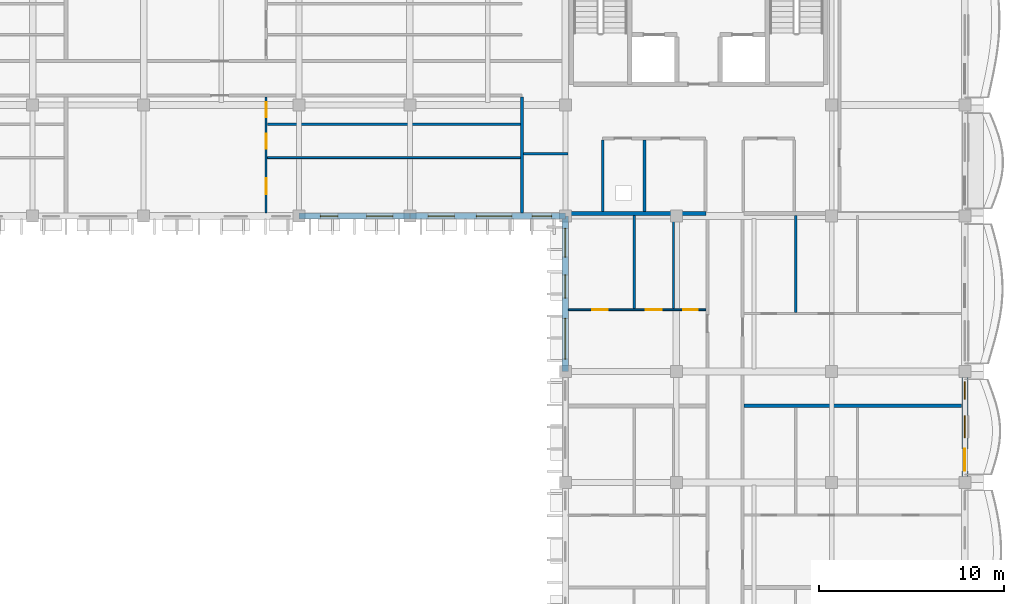
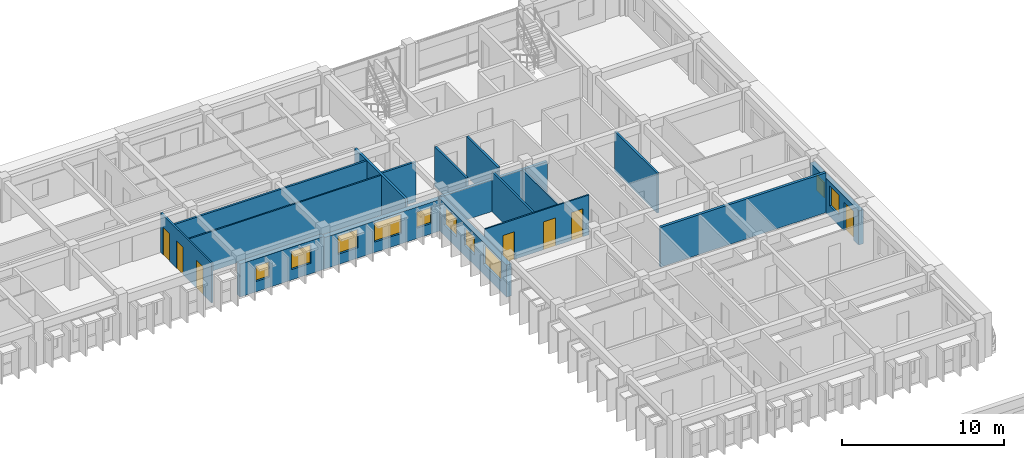
# One storey, part 37 of 70: 17 walls, 10 windows, 7 doors, 17 openings.
"""IFC4 building model written with IfcOpenShell, lengths in metres."""

from ifc_helpers import new_model, si_unit, direction, frame, frame_2d, origin, place, context, subcontext, project, spatial, rectangle, extrude, material, layer, layer_set, type_object, element, fill, save


model = new_model("IFC4")

# Units and contexts
model_context = context("Model", 3, precision=1e-05, world=origin(), true_north=direction((0.0, 1.0)))
body_context = subcontext(model_context, "Body", "Model", "MODEL_VIEW")
ifc_project = project(units=[si_unit("LENGTHUNIT", "METRE"), si_unit("AREAUNIT", "SQUARE_METRE"), si_unit("VOLUMEUNIT", "CUBIC_METRE"), si_unit("PLANEANGLEUNIT", "RADIAN"), si_unit("MASSUNIT", "GRAM", prefix="KILO"), si_unit("THERMODYNAMICTEMPERATUREUNIT", "KELVIN")], contexts=[model_context])

# Site, building, storey
site_placement = place(None, origin())
site = spatial("IfcSite", under=ifc_project, at=site_placement, CompositionType="ELEMENT")
building_placement = place(site_placement, origin())
building = spatial("IfcBuilding", under=site, at=building_placement, Name="Thalorik Housing Commons", CompositionType="ELEMENT")
storey_placement = place(building_placement, frame((0.0, 0.0, 14.699951171875)))
storey = spatial("IfcBuildingStorey", under=building, at=storey_placement, Name="L04", CompositionType="ELEMENT", Elevation=14.699951171875)

# Walls
ifc_material_1 = material(Name="Masonry fire-rated corridor wall", Category="masonry")
ifc_layer_1 = layer(ifc_material_1, 0.14990234375, Name="Masonry fire-rated corridor wall", Category="masonry")
ifc_layer_set_1 = layer_set([ifc_layer_1], Name="Masonry fire-rated corridor wall")
wall_type_1 = type_object("IfcWallType", Name="ARC-WAL-CORR-150", PredefinedType="PARTITIONING", material=ifc_layer_set_1)
wall_1_placement = place(storey_placement, frame((150.134521484375, 112.570068359375, 0.0), z_axis=(0.0, 0.0, 1.0), x_axis=(1.0, 0.0, 0.0)))
element("IfcWall", 1, at=wall_1_placement, inside=storey, type_object=wall_type_1, Name="L04 Block B Vestibule South Wall", PredefinedType="PARTITIONING", context=body_context, shape_type="SweptSolid", body=[
    extrude(rectangle(XDim=2.405517578125, YDim=0.14990234375, at=frame_2d((1.20263671875, 0.0))), origin(), (0.0, 0.0, 1.0), 3.0),
])
ifc_layer_2 = layer(ifc_material_1, 0.1650390625, Name="Masonry fire-rated corridor wall", Category="masonry")
ifc_layer_set_2 = layer_set([ifc_layer_2], Name="Masonry fire-rated corridor wall")
wall_type_2 = type_object("IfcWallType", Name="ARC-WAL-CORR-165", PredefinedType="PARTITIONING", material=ifc_layer_set_2)
wall_2_placement = place(storey_placement, frame((150.050048828125, 109.369384765625, 0.0), z_axis=(0.0, 0.0, 1.0), x_axis=(0.0, 1.0, 0.0)))
element("IfcWall", 2, at=wall_2_placement, inside=storey, type_object=wall_type_2, Name="L04 Block B Vestibule Cheek Wall", PredefinedType="PARTITIONING", context=body_context, shape_type="SweptSolid", body=[
    extrude(rectangle(XDim=6.26611328125, YDim=0.1650390625, at=frame_2d((3.133056640625, 0.0))), origin(), (0.0, 0.0, 1.0), 3.0),
])

# Wall, openings, windows
ifc_material_2 = material(Name="White precast concrete C40/50", Category="concrete")
ifc_layer_3 = layer(ifc_material_2, 0.3349609375, Name="White precast concrete C40/50", Category="concrete")
ifc_layer_set_3 = layer_set([ifc_layer_3], Name="White precast concrete C40/50")
wall_type_3 = type_object("IfcWallType", Name="ARC-WAL-EXT-335", PredefinedType="STANDARD", material=ifc_layer_set_3)
wall_3_placement = place(storey_placement, frame((138.0, 109.199951171875, 0.0), z_axis=(0.0, 0.0, 1.0), x_axis=(1.0, 0.0, 0.0)))
wall_3 = element("IfcWall", 3, at=wall_3_placement, inside=storey, type_object=wall_type_3, Name="L04 Exterior Wall WAL-EXT-L04-B-0546", PredefinedType="STANDARD", context=body_context, shape_type="SweptSolid", body=[
    extrude(rectangle(XDim=6.0, YDim=0.3349609375, at=frame_2d((3.0, 0.0))), origin(), (0.0, 0.0, 1.0), 2.47509765625),
])
opening_1_placement = place(wall_3_placement, frame((1.155029296875, 0.0, 0.780029296875)))
opening_1 = element("IfcOpeningElement", 4, at=opening_1_placement, cuts=wall_3, Name="Opening W-43", PredefinedType="OPENING", context=body_context, shape_type="SweptSolid", body=[
    extrude(rectangle(XDim=0.949951171875, YDim=1.14990234375, at=frame_2d((0.47509765625, 0.574951171875))), frame((0.0, 0.177490234375, 0.0), z_axis=(0.0, -1.0, 0.0), x_axis=(1.0, 0.0, 0.0)), (0.0, 0.0, 1.0), 0.35498046875),
])
opening_2_placement = place(wall_3_placement, frame((3.659912109375, 0.0, 0.780029296875)))
opening_2 = element("IfcOpeningElement", 5, at=opening_2_placement, cuts=wall_3, Name="Opening W-50", PredefinedType="OPENING", context=body_context, shape_type="SweptSolid", body=[
    extrude(rectangle(XDim=1.419921875, YDim=1.3798828125, at=frame_2d((0.7099609375, 0.68994140625))), frame((0.0, 0.177490234375, 0.0), z_axis=(0.0, -1.0, 0.0), x_axis=(1.0, 0.0, 0.0)), (0.0, 0.0, 1.0), 0.35498046875),
])
ifc_material_3 = material(Name="Anodised aluminium and solar-control low-E glass", Category="aluminium")
window_type_1 = type_object("IfcWindowType", Name="ARC-WIN-43", PartitioningType="SINGLE_PANEL", PredefinedType="WINDOW", material=ifc_material_3)
window_1_placement = place(opening_1_placement, origin())
window_1 = element("IfcWindow", 6, at=window_1_placement, inside=storey, type_object=window_type_1, Name="L04 Facade Window 986", OverallHeight=1.14990234375, OverallWidth=0.949951171875, PartitioningType="SINGLE_PANEL", PredefinedType="WINDOW", context=body_context, shape_type="SweptSolid", body=[
    extrude(rectangle(XDim=0.949951171875, YDim=1.14990234375, at=frame_2d((0.47509765625, 0.574951171875))), frame((0.0, 0.030029296875, 0.0), z_axis=(0.0, -1.0, 0.0), x_axis=(1.0, 0.0, 0.0)), (0.0, 0.0, 1.0), 0.06005859375),
])
fill(opening_1, window_1)
window_type_2 = type_object("IfcWindowType", Name="ARC-WIN-50", PartitioningType="SINGLE_PANEL", PredefinedType="WINDOW", material=ifc_material_3)
window_2_placement = place(opening_2_placement, origin())
window_2 = element("IfcWindow", 7, at=window_2_placement, inside=storey, type_object=window_type_2, Name="L04 Facade Window 987", OverallHeight=1.3798828125, OverallWidth=1.419921875, PartitioningType="SINGLE_PANEL", PredefinedType="WINDOW", context=body_context, shape_type="SweptSolid", body=[
    extrude(rectangle(XDim=1.419921875, YDim=1.3798828125, at=frame_2d((0.7099609375, 0.68994140625))), frame((0.0, 0.030029296875, 0.0), z_axis=(0.0, -1.0, 0.0), x_axis=(1.0, 0.0, 0.0)), (0.0, 0.0, 1.0), 0.06005859375),
])
fill(opening_2, window_2)

wall_4_placement = place(storey_placement, frame((144.0, 109.199951171875, 0.0), z_axis=(0.0, 0.0, 1.0), x_axis=(1.0, 0.0, 0.0)))
wall_4 = element("IfcWall", 8, at=wall_4_placement, inside=storey, type_object=wall_type_3, Name="L04 Exterior Wall WAL-EXT-L04-B-0547", PredefinedType="STANDARD", context=body_context, shape_type="SweptSolid", body=[
    extrude(rectangle(XDim=8.39990234375, YDim=0.3349609375, at=frame_2d((4.199951171875, 0.0))), origin(), (0.0, 0.0, 1.0), 2.375),
])
opening_3_placement = place(wall_4_placement, frame((0.97998046875, 0.0, 0.780029296875)))
opening_3 = element("IfcOpeningElement", 9, at=opening_3_placement, cuts=wall_4, Name="Opening W-50", PredefinedType="OPENING", context=body_context, shape_type="SweptSolid", body=[
    extrude(rectangle(XDim=1.419921875, YDim=1.3798828125, at=frame_2d((0.7099609375, 0.68994140625))), frame((0.0, 0.177490234375, 0.0), z_axis=(0.0, -1.0, 0.0), x_axis=(1.0, 0.0, 0.0)), (0.0, 0.0, 1.0), 0.35498046875),
])
opening_4_placement = place(wall_4_placement, frame((3.590087890625, 0.0, 0.780029296875)))
opening_4 = element("IfcOpeningElement", 10, at=opening_4_placement, cuts=wall_4, Name="Opening W-60", PredefinedType="OPENING", context=body_context, shape_type="SweptSolid", body=[
    extrude(rectangle(XDim=1.919921875, YDim=1.43994140625, at=frame_2d((0.9599609375, 0.719970703125))), frame((0.0, 0.177490234375, 0.0), z_axis=(0.0, -1.0, 0.0), x_axis=(1.0, 0.0, 0.0)), (0.0, 0.0, 1.0), 0.35498046875),
])
opening_5_placement = place(wall_4_placement, frame((6.60498046875, 0.0, 0.780029296875)))
opening_5 = element("IfcOpeningElement", 11, at=opening_5_placement, cuts=wall_4, Name="Opening W-44", PredefinedType="OPENING", context=body_context, shape_type="SweptSolid", body=[
    extrude(rectangle(XDim=1.050048828125, YDim=1.199951171875, at=frame_2d((0.52490234375, 0.60009765625))), frame((0.0, 0.177490234375, 0.0), z_axis=(0.0, -1.0, 0.0), x_axis=(1.0, 0.0, 0.0)), (0.0, 0.0, 1.0), 0.35498046875),
])
window_type_3 = type_object("IfcWindowType", Name="ARC-WIN-44", PartitioningType="SINGLE_PANEL", PredefinedType="WINDOW", material=ifc_material_3)
window_3_placement = place(opening_5_placement, origin())
window_3 = element("IfcWindow", 12, at=window_3_placement, inside=storey, type_object=window_type_3, Name="L04 Facade Window 990", OverallHeight=1.199951171875, OverallWidth=1.050048828125, PartitioningType="SINGLE_PANEL", PredefinedType="WINDOW", context=body_context, shape_type="SweptSolid", body=[
    extrude(rectangle(XDim=1.050048828125, YDim=1.199951171875, at=frame_2d((0.52490234375, 0.60009765625))), frame((0.0, 0.030029296875, 0.0), z_axis=(0.0, -1.0, 0.0), x_axis=(1.0, 0.0, 0.0)), (0.0, 0.0, 1.0), 0.06005859375),
])
fill(opening_5, window_3)
window_4_placement = place(opening_3_placement, origin())
window_4 = element("IfcWindow", 13, at=window_4_placement, inside=storey, type_object=window_type_2, Name="L04 Facade Window 988", OverallHeight=1.3798828125, OverallWidth=1.419921875, PartitioningType="SINGLE_PANEL", PredefinedType="WINDOW", context=body_context, shape_type="SweptSolid", body=[
    extrude(rectangle(XDim=1.419921875, YDim=1.3798828125, at=frame_2d((0.7099609375, 0.68994140625))), frame((0.0, 0.030029296875, 0.0), z_axis=(0.0, -1.0, 0.0), x_axis=(1.0, 0.0, 0.0)), (0.0, 0.0, 1.0), 0.06005859375),
])
fill(opening_3, window_4)
window_type_4 = type_object("IfcWindowType", Name="ARC-WIN-60", PartitioningType="DOUBLE_PANEL_VERTICAL", PredefinedType="WINDOW", material=ifc_material_3)
window_5_placement = place(opening_4_placement, origin())
window_5 = element("IfcWindow", 14, at=window_5_placement, inside=storey, type_object=window_type_4, Name="L04 Facade Window 989", OverallHeight=1.43994140625, OverallWidth=1.919921875, PartitioningType="DOUBLE_PANEL_VERTICAL", PredefinedType="WINDOW", context=body_context, shape_type="SweptSolid", body=[
    extrude(rectangle(XDim=1.919921875, YDim=1.43994140625, at=frame_2d((0.9599609375, 0.719970703125))), frame((0.0, 0.030029296875, 0.0), z_axis=(0.0, -1.0, 0.0), x_axis=(1.0, 0.0, 0.0)), (0.0, 0.0, 1.0), 0.06005859375),
])
fill(opening_4, window_5)

wall_5_placement = place(storey_placement, frame((152.39990234375, 109.199951171875, 0.0), z_axis=(0.0, 0.0, 1.0), x_axis=(0.0, -1.0, 0.0)))
wall_5 = element("IfcWall", 15, at=wall_5_placement, inside=storey, type_object=wall_type_3, Name="L04 Exterior Wall WAL-EXT-L04-B-0548", PredefinedType="STANDARD", context=body_context, shape_type="SweptSolid", body=[
    extrude(rectangle(XDim=8.39990234375, YDim=0.3349609375, at=frame_2d((4.199951171875, 0.0))), origin(), (0.0, 0.0, 1.0), 2.425048828125),
])
opening_6_placement = place(wall_5_placement, frame((0.66748046875, 0.0, 0.780029296875)))
opening_6 = element("IfcOpeningElement", 16, at=opening_6_placement, cuts=wall_5, Name="Opening W-12", PredefinedType="OPENING", context=body_context, shape_type="SweptSolid", body=[
    extrude(rectangle(XDim=1.550048828125, YDim=1.39990234375, at=frame_2d((0.77490234375, 0.699951171875))), frame((0.0, 0.177490234375, 0.0), z_axis=(0.0, -1.0, 0.0), x_axis=(1.0, 0.0, 0.0)), (0.0, 0.0, 1.0), 0.35498046875),
])
opening_7_placement = place(wall_5_placement, frame((3.1826171875, 0.0, 0.780029296875)))
opening_7 = element("IfcOpeningElement", 17, at=opening_7_placement, cuts=wall_5, Name="Opening W-46", PredefinedType="OPENING", context=body_context, shape_type="SweptSolid", body=[
    extrude(rectangle(XDim=1.25, YDim=1.300048828125, at=frame_2d((0.625, 0.64990234375))), frame((0.0, 0.177490234375, 0.0), z_axis=(0.0, -1.0, 0.0), x_axis=(1.0, 0.0, 0.0)), (0.0, 0.0, 1.0), 0.35498046875),
])
opening_8_placement = place(wall_5_placement, frame((5.534912109375, 0.0, 0.780029296875)))
opening_8 = element("IfcOpeningElement", 18, at=opening_8_placement, cuts=wall_5, Name="Opening W-29", PredefinedType="OPENING", context=body_context, shape_type="SweptSolid", body=[
    extrude(rectangle(XDim=2.199951171875, YDim=1.5, at=frame_2d((1.10009765625, 0.75))), frame((0.0, 0.177490234375, 0.0), z_axis=(0.0, -1.0, 0.0), x_axis=(1.0, 0.0, 0.0)), (0.0, 0.0, 1.0), 0.35498046875),
])
window_type_5 = type_object("IfcWindowType", Name="ARC-WIN-12", PartitioningType="SINGLE_PANEL", PredefinedType="WINDOW", material=ifc_material_3)
window_6_placement = place(opening_6_placement, origin())
window_6 = element("IfcWindow", 19, at=window_6_placement, inside=storey, type_object=window_type_5, Name="L04 Facade Window 991", OverallHeight=1.39990234375, OverallWidth=1.550048828125, PartitioningType="SINGLE_PANEL", PredefinedType="WINDOW", context=body_context, shape_type="SweptSolid", body=[
    extrude(rectangle(XDim=1.550048828125, YDim=1.39990234375, at=frame_2d((0.77490234375, 0.699951171875))), frame((0.0, 0.030029296875, 0.0), z_axis=(0.0, -1.0, 0.0), x_axis=(1.0, 0.0, 0.0)), (0.0, 0.0, 1.0), 0.06005859375),
])
fill(opening_6, window_6)
window_type_6 = type_object("IfcWindowType", Name="ARC-WIN-29", PartitioningType="DOUBLE_PANEL_VERTICAL", PredefinedType="WINDOW", material=ifc_material_3)
window_7_placement = place(opening_8_placement, origin())
window_7 = element("IfcWindow", 20, at=window_7_placement, inside=storey, type_object=window_type_6, Name="L04 Facade Window 993", OverallHeight=1.5, OverallWidth=2.199951171875, PartitioningType="DOUBLE_PANEL_VERTICAL", PredefinedType="WINDOW", context=body_context, shape_type="SweptSolid", body=[
    extrude(rectangle(XDim=2.199951171875, YDim=1.5, at=frame_2d((1.10009765625, 0.75))), frame((0.0, 0.030029296875, 0.0), z_axis=(0.0, -1.0, 0.0), x_axis=(1.0, 0.0, 0.0)), (0.0, 0.0, 1.0), 0.06005859375),
])
fill(opening_8, window_7)
window_type_7 = type_object("IfcWindowType", Name="ARC-WIN-46", PartitioningType="SINGLE_PANEL", PredefinedType="WINDOW", material=ifc_material_3)
window_8_placement = place(opening_7_placement, origin())
window_8 = element("IfcWindow", 21, at=window_8_placement, inside=storey, type_object=window_type_7, Name="L04 Facade Window 992", OverallHeight=1.300048828125, OverallWidth=1.25, PartitioningType="SINGLE_PANEL", PredefinedType="WINDOW", context=body_context, shape_type="SweptSolid", body=[
    extrude(rectangle(XDim=1.25, YDim=1.300048828125, at=frame_2d((0.625, 0.64990234375))), frame((0.0, 0.030029296875, 0.0), z_axis=(0.0, -1.0, 0.0), x_axis=(1.0, 0.0, 0.0)), (0.0, 0.0, 1.0), 0.06005859375),
])
fill(opening_7, window_8)

# Wall, openings, door, windows
wall_6_placement = place(storey_placement, frame((174.0, 94.800048828125, 0.0), z_axis=(0.0, 0.0, 1.0), x_axis=(0.0, 1.0, 0.0)))
wall_6 = element("IfcWall", 22, at=wall_6_placement, inside=storey, type_object=wall_type_3, Name="L04 Exterior Wall WAL-EXT-L04-B-0557", PredefinedType="STANDARD", context=body_context, shape_type="SweptSolid", body=[
    extrude(rectangle(XDim=6.0, YDim=0.3349609375, at=frame_2d((3.0, 0.0))), origin(), (0.0, 0.0, 1.0), 2.574951171875),
])
opening_9_placement = place(wall_6_placement, frame((0.6201171875, 0.0, 0.0)))
opening_9 = element("IfcOpeningElement", 23, at=opening_9_placement, cuts=wall_6, Name="Opening ED-0172", PredefinedType="OPENING", context=body_context, shape_type="SweptSolid", body=[
    extrude(rectangle(XDim=1.199951171875, YDim=2.14990234375, at=frame_2d((0.60009765625, 1.074951171875))), frame((0.0, 0.177490234375, 0.0), z_axis=(0.0, -1.0, 0.0), x_axis=(1.0, 0.0, 0.0)), (0.0, 0.0, 1.0), 0.35498046875),
])
opening_10_placement = place(wall_6_placement, frame((2.405029296875, 0.0, 0.780029296875)))
opening_10 = element("IfcOpeningElement", 24, at=opening_10_placement, cuts=wall_6, Name="Opening W-05", PredefinedType="OPENING", context=body_context, shape_type="SweptSolid", body=[
    extrude(rectangle(XDim=1.199951171875, YDim=1.5, at=frame_2d((0.60009765625, 0.75))), frame((0.0, 0.177490234375, 0.0), z_axis=(0.0, -1.0, 0.0), x_axis=(1.0, 0.0, 0.0)), (0.0, 0.0, 1.0), 0.35498046875),
])
opening_11_placement = place(wall_6_placement, frame((4.5, 0.0, 0.780029296875)))
opening_11 = element("IfcOpeningElement", 25, at=opening_11_placement, cuts=wall_6, Name="Opening W-43", PredefinedType="OPENING", context=body_context, shape_type="SweptSolid", body=[
    extrude(rectangle(XDim=0.949951171875, YDim=1.14990234375, at=frame_2d((0.47509765625, 0.574951171875))), frame((0.0, 0.177490234375, 0.0), z_axis=(0.0, -1.0, 0.0), x_axis=(1.0, 0.0, 0.0)), (0.0, 0.0, 1.0), 0.35498046875),
])
ifc_material_4 = material(Name="Anodised aluminium and laminated safety glass", Category="aluminium")
door_type_1 = type_object("IfcDoorType", Name="ARC-DR-BAL-1200", OperationType="NOTDEFINED", PredefinedType="DOOR", material=ifc_material_4)
door_1_placement = place(opening_9_placement, frame((1.199951171875, 0.0, 0.0), z_axis=(0.0, 0.0, 1.0), x_axis=(-1.0, 0.0, 0.0)))
door_1 = element("IfcDoor", 26, at=door_1_placement, inside=storey, type_object=door_type_1, Name="L04 Block B Balcony Glazed Door", OperationType="SINGLE_SWING_LEFT", OverallHeight=2.14990234375, OverallWidth=1.199951171875, PredefinedType="DOOR", context=body_context, shape_type="SweptSolid", body=[
    extrude(rectangle(XDim=1.199951171875, YDim=2.14990234375, at=frame_2d((0.60009765625, 1.074951171875))), frame((0.0, 0.02490234375, 0.0), z_axis=(0.0, -1.0, 0.0), x_axis=(1.0, 0.0, 0.0)), (0.0, 0.0, 1.0), 0.050048828125),
])
fill(opening_9, door_1)
window_type_8 = type_object("IfcWindowType", Name="ARC-WIN-05", PartitioningType="SINGLE_PANEL", PredefinedType="WINDOW", material=ifc_material_3)
window_9_placement = place(opening_10_placement, origin())
window_9 = element("IfcWindow", 27, at=window_9_placement, inside=storey, type_object=window_type_8, Name="L04 Facade Window 1013", OverallHeight=1.5, OverallWidth=1.199951171875, PartitioningType="SINGLE_PANEL", PredefinedType="WINDOW", context=body_context, shape_type="SweptSolid", body=[
    extrude(rectangle(XDim=1.199951171875, YDim=1.5, at=frame_2d((0.60009765625, 0.75))), frame((0.0, 0.030029296875, 0.0), z_axis=(0.0, -1.0, 0.0), x_axis=(1.0, 0.0, 0.0)), (0.0, 0.0, 1.0), 0.06005859375),
])
fill(opening_10, window_9)
window_10_placement = place(opening_11_placement, origin())
window_10 = element("IfcWindow", 28, at=window_10_placement, inside=storey, type_object=window_type_1, Name="L04 Facade Window 1014", OverallHeight=1.14990234375, OverallWidth=0.949951171875, PartitioningType="SINGLE_PANEL", PredefinedType="WINDOW", context=body_context, shape_type="SweptSolid", body=[
    extrude(rectangle(XDim=0.949951171875, YDim=1.14990234375, at=frame_2d((0.47509765625, 0.574951171875))), frame((0.0, 0.030029296875, 0.0), z_axis=(0.0, -1.0, 0.0), x_axis=(1.0, 0.0, 0.0)), (0.0, 0.0, 1.0), 0.06005859375),
])
fill(opening_11, window_10)

# Wall
ifc_material_5 = material(Name="Gypsum light stud partition", Category="masonry")
ifc_layer_4 = layer(ifc_material_5, 0.10009765625, Name="Gypsum light stud partition", Category="masonry")
ifc_layer_set_4 = layer_set([ifc_layer_4], Name="Gypsum light stud partition")
wall_type_4 = type_object("IfcWallType", Name="ARC-WAL-PART-100", PredefinedType="PARTITIONING", material=ifc_layer_set_4)
wall_7_placement = place(storey_placement, frame((136.284423828125, 112.36083984375, 0.0), z_axis=(0.0, 0.0, 1.0), x_axis=(1.0, 0.0, 0.0)))
element("IfcWall", 29, at=wall_7_placement, inside=storey, type_object=wall_type_4, Name="L04 Unit 3 Bedroom Partition", PredefinedType="PARTITIONING", context=body_context, shape_type="SweptSolid", body=[
    extrude(rectangle(XDim=13.68115234375, YDim=0.10009765625, at=frame_2d((6.840576171875, 0.0))), origin(), (0.0, 0.0, 1.0), 3.0),
])

# Wall, openings, doors
wall_8_placement = place(storey_placement, frame((152.569580078125, 104.139892578125, 0.0), z_axis=(0.0, 0.0, 1.0), x_axis=(1.0, 0.0, 0.0)))
wall_8 = element("IfcWall", 30, at=wall_8_placement, inside=storey, type_object=wall_type_4, Name="L04 Unit 3 Spine Partition", PredefinedType="PARTITIONING", context=body_context, shape_type="SweptSolid", body=[
    extrude(rectangle(XDim=7.433349609375, YDim=0.10009765625, at=frame_2d((3.716796875, 0.0))), origin(), (0.0, 0.0, 1.0), 3.0),
])
opening_12_placement = place(wall_8_placement, frame((1.294189453125, 0.0, 0.0)))
opening_12 = element("IfcOpeningElement", 31, at=opening_12_placement, cuts=wall_8, Name="Opening ID-1160", PredefinedType="OPENING", context=body_context, shape_type="SweptSolid", body=[
    extrude(rectangle(XDim=0.820068359375, YDim=2.080078125, at=frame_2d((0.41015625, 1.0400390625))), frame((0.0, 0.06005859375, 0.0), z_axis=(0.0, -1.0, 0.0), x_axis=(1.0, 0.0, 0.0)), (0.0, 0.0, 1.0), 0.1201171875),
])
opening_13_placement = place(wall_8_placement, frame((4.18994140625, 0.0, 0.0)))
opening_13 = element("IfcOpeningElement", 32, at=opening_13_placement, cuts=wall_8, Name="Opening ID-1161", PredefinedType="OPENING", context=body_context, shape_type="SweptSolid", body=[
    extrude(rectangle(XDim=0.85009765625, YDim=2.10009765625, at=frame_2d((0.425048828125, 1.050048828125))), frame((0.0, 0.06005859375, 0.0), z_axis=(0.0, -1.0, 0.0), x_axis=(1.0, 0.0, 0.0)), (0.0, 0.0, 1.0), 0.1201171875),
])
opening_14_placement = place(wall_8_placement, frame((6.196044921875, 0.0, 0.0)))
opening_14 = element("IfcOpeningElement", 33, at=opening_14_placement, cuts=wall_8, Name="Opening ID-1162", PredefinedType="OPENING", context=body_context, shape_type="SweptSolid", body=[
    extrude(rectangle(XDim=0.800048828125, YDim=2.10009765625, at=frame_2d((0.39990234375, 1.050048828125))), frame((0.0, 0.06005859375, 0.0), z_axis=(0.0, -1.0, 0.0), x_axis=(1.0, 0.0, 0.0)), (0.0, 0.0, 1.0), 0.1201171875),
])
ifc_material_6 = material(Name="Moisture-resistant timber", Category="wood")
door_type_2 = type_object("IfcDoorType", Name="ARC-DR-INT-800", OperationType="NOTDEFINED", PredefinedType="DOOR", material=ifc_material_6)
door_2_placement = place(opening_14_placement, origin())
door_2 = element("IfcDoor", 34, at=door_2_placement, inside=storey, type_object=door_type_2, Name="L04 Flat Bathroom Door", OperationType="SINGLE_SWING_LEFT", OverallHeight=2.10009765625, OverallWidth=0.800048828125, PredefinedType="DOOR", context=body_context, shape_type="SweptSolid", body=[
    extrude(rectangle(XDim=0.800048828125, YDim=2.10009765625, at=frame_2d((0.39990234375, 1.050048828125))), frame((0.0, 0.02490234375, 0.0), z_axis=(0.0, -1.0, 0.0), x_axis=(1.0, 0.0, 0.0)), (0.0, 0.0, 1.0), 0.050048828125),
])
fill(opening_14, door_2)
ifc_material_7 = material(Name="Engineered oak timber", Category="wood")
door_type_3 = type_object("IfcDoorType", Name="ARC-DR-INT-820", OperationType="NOTDEFINED", PredefinedType="DOOR", material=ifc_material_7)
door_3_placement = place(opening_12_placement, origin())
door_3 = element("IfcDoor", 35, at=door_3_placement, inside=storey, type_object=door_type_3, Name="L04 Master Bedroom Door", OperationType="SINGLE_SWING_LEFT", OverallHeight=2.080078125, OverallWidth=0.820068359375, PredefinedType="DOOR", context=body_context, shape_type="SweptSolid", body=[
    extrude(rectangle(XDim=0.820068359375, YDim=2.080078125, at=frame_2d((0.41015625, 1.0400390625))), frame((0.0, 0.02490234375, 0.0), z_axis=(0.0, -1.0, 0.0), x_axis=(1.0, 0.0, 0.0)), (0.0, 0.0, 1.0), 0.050048828125),
])
fill(opening_12, door_3)
door_type_4 = type_object("IfcDoorType", Name="ARC-DR-INT-850", OperationType="NOTDEFINED", PredefinedType="DOOR", material=ifc_material_7)
door_4_placement = place(opening_13_placement, origin())
door_4 = element("IfcDoor", 36, at=door_4_placement, inside=storey, type_object=door_type_4, Name="L04 Galley Kitchen Door", OperationType="SINGLE_SWING_RIGHT", OverallHeight=2.10009765625, OverallWidth=0.85009765625, PredefinedType="DOOR", context=body_context, shape_type="SweptSolid", body=[
    extrude(rectangle(XDim=0.85009765625, YDim=2.10009765625, at=frame_2d((0.425048828125, 1.050048828125))), frame((0.0, 0.02490234375, 0.0), z_axis=(0.0, -1.0, 0.0), x_axis=(1.0, 0.0, 0.0)), (0.0, 0.0, 1.0), 0.050048828125),
])
fill(opening_13, door_4)

ifc_material_8 = material(Name="Gypsum moisture-resistant partition", Category="masonry")
ifc_layer_5 = layer(ifc_material_8, 0.114990234375, Name="Gypsum moisture-resistant partition", Category="masonry")
ifc_layer_set_5 = layer_set([ifc_layer_5], Name="Gypsum moisture-resistant partition")
wall_type_5 = type_object("IfcWallType", Name="ARC-WAL-PART-115", PredefinedType="PARTITIONING", material=ifc_layer_set_5)
wall_9_placement = place(storey_placement, frame((136.22509765625, 109.369384765625, 0.0), z_axis=(0.0, 0.0, 1.0), x_axis=(0.0, 1.0, 0.0)))
wall_9 = element("IfcWall", 37, at=wall_9_placement, inside=storey, type_object=wall_type_5, Name="L04 Unit 3 Spine Partition", PredefinedType="PARTITIONING", context=body_context, shape_type="SweptSolid", body=[
    extrude(rectangle(XDim=6.26611328125, YDim=0.114990234375, at=frame_2d((3.133056640625, 0.0))), origin(), (0.0, 0.0, 1.0), 3.0),
])
opening_15_placement = place(wall_9_placement, frame((1.015869140625, 0.0, 0.0)))
opening_15 = element("IfcOpeningElement", 38, at=opening_15_placement, cuts=wall_9, Name="Opening ID-1135", PredefinedType="OPENING", context=body_context, shape_type="SweptSolid", body=[
    extrude(rectangle(XDim=0.85009765625, YDim=2.10009765625, at=frame_2d((0.425048828125, 1.050048828125))), frame((0.0, 0.0673828125, 0.0), z_axis=(0.0, -1.0, 0.0), x_axis=(1.0, 0.0, 0.0)), (0.0, 0.0, 1.0), 0.135009765625),
])
opening_16_placement = place(wall_9_placement, frame((3.470703125, 0.0, 0.0)))
opening_16 = element("IfcOpeningElement", 39, at=opening_16_placement, cuts=wall_9, Name="Opening ID-1136", PredefinedType="OPENING", context=body_context, shape_type="SweptSolid", body=[
    extrude(rectangle(XDim=0.820068359375, YDim=2.080078125, at=frame_2d((0.41015625, 1.0400390625))), frame((0.0, 0.0673828125, 0.0), z_axis=(0.0, -1.0, 0.0), x_axis=(1.0, 0.0, 0.0)), (0.0, 0.0, 1.0), 0.135009765625),
])
opening_17_placement = place(wall_9_placement, frame((5.17529296875, 0.0, 0.0)))
opening_17 = element("IfcOpeningElement", 40, at=opening_17_placement, cuts=wall_9, Name="Opening ID-1137", PredefinedType="OPENING", context=body_context, shape_type="SweptSolid", body=[
    extrude(rectangle(XDim=0.800048828125, YDim=2.10009765625, at=frame_2d((0.39990234375, 1.050048828125))), frame((0.0, 0.0673828125, 0.0), z_axis=(0.0, -1.0, 0.0), x_axis=(1.0, 0.0, 0.0)), (0.0, 0.0, 1.0), 0.135009765625),
])
door_5_placement = place(opening_17_placement, origin())
door_5 = element("IfcDoor", 41, at=door_5_placement, inside=storey, type_object=door_type_2, Name="L04 Flat Bathroom Door", OperationType="SINGLE_SWING_RIGHT", OverallHeight=2.10009765625, OverallWidth=0.800048828125, PredefinedType="DOOR", context=body_context, shape_type="SweptSolid", body=[
    extrude(rectangle(XDim=0.800048828125, YDim=2.10009765625, at=frame_2d((0.39990234375, 1.050048828125))), frame((0.0, 0.02490234375, 0.0), z_axis=(0.0, -1.0, 0.0), x_axis=(1.0, 0.0, 0.0)), (0.0, 0.0, 1.0), 0.050048828125),
])
fill(opening_17, door_5)
door_6_placement = place(opening_16_placement, origin())
door_6 = element("IfcDoor", 42, at=door_6_placement, inside=storey, type_object=door_type_3, Name="L04 Galley Kitchen Door", OperationType="SINGLE_SWING_LEFT", OverallHeight=2.080078125, OverallWidth=0.820068359375, PredefinedType="DOOR", context=body_context, shape_type="SweptSolid", body=[
    extrude(rectangle(XDim=0.820068359375, YDim=2.080078125, at=frame_2d((0.41015625, 1.0400390625))), frame((0.0, 0.02490234375, 0.0), z_axis=(0.0, -1.0, 0.0), x_axis=(1.0, 0.0, 0.0)), (0.0, 0.0, 1.0), 0.050048828125),
])
fill(opening_16, door_6)
door_7_placement = place(opening_15_placement, origin())
door_7 = element("IfcDoor", 43, at=door_7_placement, inside=storey, type_object=door_type_4, Name="L04 Master Bedroom Door", OperationType="SINGLE_SWING_RIGHT", OverallHeight=2.10009765625, OverallWidth=0.85009765625, PredefinedType="DOOR", context=body_context, shape_type="SweptSolid", body=[
    extrude(rectangle(XDim=0.85009765625, YDim=2.10009765625, at=frame_2d((0.425048828125, 1.050048828125))), frame((0.0, 0.02490234375, 0.0), z_axis=(0.0, -1.0, 0.0), x_axis=(1.0, 0.0, 0.0)), (0.0, 0.0, 1.0), 0.050048828125),
])
fill(opening_15, door_7)

# Walls
ifc_material_9 = material(Name="Gypsum acoustic stud partition", Category="masonry")
ifc_layer_6 = layer(ifc_material_9, 0.125, Name="Gypsum acoustic stud partition", Category="masonry")
ifc_layer_set_6 = layer_set([ifc_layer_6], Name="Gypsum acoustic stud partition")
wall_type_6 = type_object("IfcWallType", Name="ARC-WAL-PART-125", PredefinedType="PARTITIONING", material=ifc_layer_set_6)
wall_10_placement = place(storey_placement, frame((158.251220703125, 104.19189453125, 0.0), z_axis=(0.0, 0.0, 1.0), x_axis=(0.0, 1.0, 0.0)))
element("IfcWall", 44, at=wall_10_placement, inside=storey, type_object=wall_type_6, Name="L04 Unit 3 Wet Wall", PredefinedType="PARTITIONING", context=body_context, shape_type="SweptSolid", body=[
    extrude(rectangle(XDim=5.046142578125, YDim=0.125, at=frame_2d((2.52294921875, 0.0))), origin(), (0.0, 0.0, 1.0), 2.425048828125),
])
ifc_material_10 = material(Name="Ceramic masonry partition wall", Category="masonry")
ifc_layer_7 = layer(ifc_material_10, 0.139892578125, Name="Ceramic masonry partition wall", Category="masonry")
ifc_layer_set_7 = layer_set([ifc_layer_7], Name="Ceramic masonry partition wall")
wall_type_7 = type_object("IfcWallType", Name="ARC-WAL-PART-140", PredefinedType="PARTITIONING", material=ifc_layer_set_7)
wall_11_placement = place(storey_placement, frame((136.284423828125, 114.169677734375, 0.0), z_axis=(0.0, 0.0, 1.0), x_axis=(1.0, 0.0, 0.0)))
element("IfcWall", 45, at=wall_11_placement, inside=storey, type_object=wall_type_7, Name="L04 Unit 3 Wet Wall", PredefinedType="PARTITIONING", context=body_context, shape_type="SweptSolid", body=[
    extrude(rectangle(XDim=13.68115234375, YDim=0.139892578125, at=frame_2d((6.840576171875, 0.0))), origin(), (0.0, 0.0, 1.0), 3.0),
])
wall_12_placement = place(storey_placement, frame((156.11767578125, 104.19189453125, 0.0), z_axis=(0.0, 0.0, 1.0), x_axis=(0.0, 1.0, 0.0)))
element("IfcWall", 46, at=wall_12_placement, inside=storey, type_object=wall_type_7, Name="L04 Unit 3 Bedroom Partition", PredefinedType="PARTITIONING", context=body_context, shape_type="SweptSolid", body=[
    extrude(rectangle(XDim=5.046142578125, YDim=0.139892578125, at=frame_2d((2.52294921875, 0.0))), origin(), (0.0, 0.0, 1.0), 3.0),
])
wall_13_placement = place(storey_placement, frame((164.850341796875, 103.991455078125, 0.0), z_axis=(0.0, 0.0, 1.0), x_axis=(0.0, 1.0, 0.0)))
element("IfcWall", 47, at=wall_13_placement, inside=storey, type_object=wall_type_7, Name="L04 Unit 3B Wet Wall", PredefinedType="PARTITIONING", context=body_context, shape_type="SweptSolid", body=[
    extrude(rectangle(XDim=5.236572265625, YDim=0.139892578125, at=frame_2d((2.6181640625, 0.0))), origin(), (0.0, 0.0, 1.0), 3.0),
])
ifc_layer_8 = layer(ifc_material_10, 0.14794921875, Name="Ceramic masonry partition wall", Category="masonry")
ifc_layer_set_8 = layer_set([ifc_layer_8], Name="Ceramic masonry partition wall")
wall_type_8 = type_object("IfcWallType", Name="ARC-WAL-PART-150", PredefinedType="PARTITIONING", material=ifc_layer_set_8)
for number, where, z_axis, x_axis, name in (
    (48, (154.419921875, 113.323974609375, 0.0), (0.0, 0.0, 1.0), (0.0, -1.0, 0.0), "Core West Enclosing Wall"),
    (49, (156.675048828125, 113.323974609375, 0.0), (0.0, 0.0, 1.0), (0.0, -1.0, 0.0), "Riser Wall"),
):
    element("IfcWall", number, at=place(storey_placement, frame(where, z_axis=z_axis, x_axis=x_axis)), inside=storey, type_object=wall_type_8, Name=name, PredefinedType="PARTITIONING", context=body_context, shape_type="SweptSolid", body=[
        extrude(rectangle(XDim=3.882080078125, YDim=0.14794921875, at=frame_2d((1.94091796875, 0.0))), origin(), (0.0, 0.0, 1.0), 3.0),
    ])
ifc_material_11 = material(Name="Masonry acoustic blockwork wall", Category="masonry")
ifc_layer_9 = layer(ifc_material_11, 0.18505859375, Name="Masonry acoustic blockwork wall", Category="masonry")
ifc_layer_set_9 = layer_set([ifc_layer_9], Name="Masonry acoustic blockwork wall")
wall_type_9 = type_object("IfcWallType", Name="ARC-WAL-PARTY-185", PredefinedType="PARTITIONING", material=ifc_layer_set_9)
wall_14_placement = place(storey_placement, frame((162.064453125, 98.93994140625, 0.0), z_axis=(0.0, 0.0, 1.0), x_axis=(1.0, 0.0, 0.0)))
element("IfcWall", 50, at=wall_14_placement, inside=storey, type_object=wall_type_9, Name="L04 Inter-Tenancy Wall 2B", PredefinedType="PARTITIONING", context=body_context, shape_type="SweptSolid", body=[
    extrude(rectangle(XDim=11.76611328125, YDim=0.18505859375, at=frame_2d((5.883056640625, 0.0))), origin(), (0.0, 0.0, 1.0), 3.0),
])
ifc_material_12 = material(Name="Precast concrete C40/50 acoustic wall", Category="concrete")
ifc_layer_10 = layer(ifc_material_12, 0.199951171875, Name="Precast concrete C40/50 acoustic wall", Category="concrete")
ifc_layer_set_10 = layer_set([ifc_layer_10], Name="Precast concrete C40/50 acoustic wall")
wall_type_10 = type_object("IfcWallType", Name="ARC-WAL-PARTY-200", PredefinedType="PARTITIONING", material=ifc_layer_set_10)
wall_15_placement = place(storey_placement, frame((152.4599609375, 109.340087890625, 0.0), z_axis=(0.0, 0.0, 1.0), x_axis=(1.0, 0.0, 0.0)))
element("IfcWall", 51, at=wall_15_placement, inside=storey, type_object=wall_type_10, Name="L04 Core End Wall A", PredefinedType="PARTITIONING", context=body_context, shape_type="SweptSolid", body=[
    extrude(rectangle(XDim=7.54296875, YDim=0.199951171875, at=frame_2d((3.771484375, 0.0))), origin(), (0.0, 0.0, 1.0), 2.375),
])

save(model, "model.ifc")
